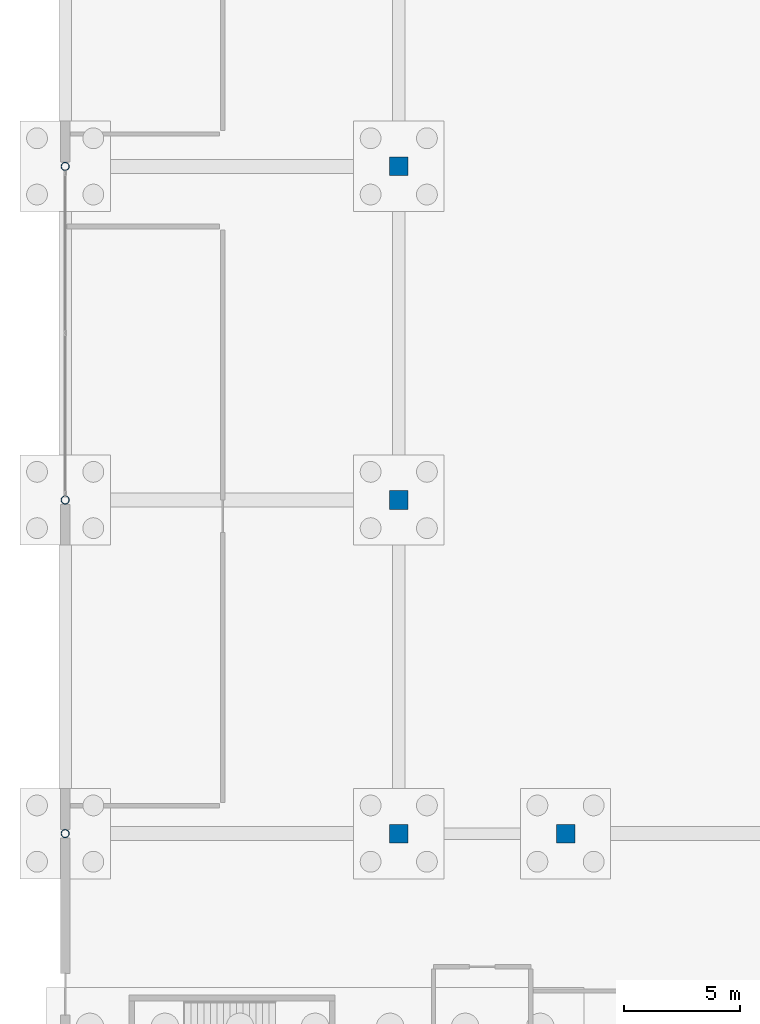
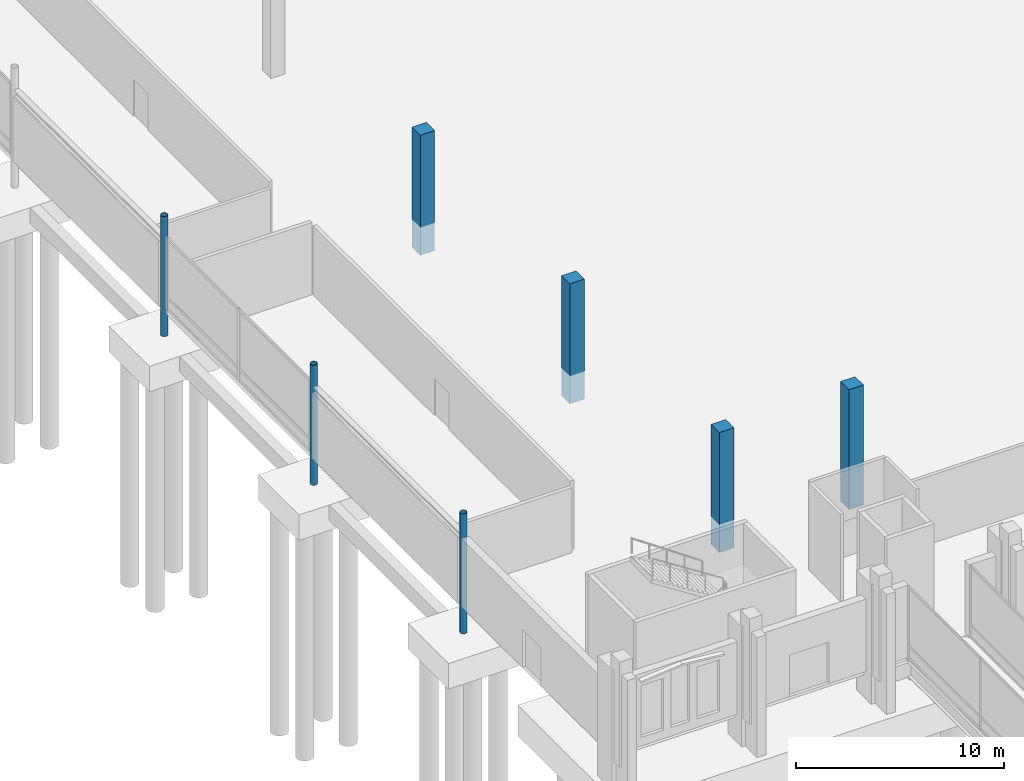
# One storey, part 11 of 192: 7 columns.
"""IFC4 building model written with IfcOpenShell, lengths in metres."""

from ifc_helpers import new_model, si_unit, direction, frame, origin, origin_2d, place, context, subcontext, project, spatial, rectangle, hollow_circle, extrude, material, material_profile, profile_set, type_object, element, save


model = new_model("IFC4")

# Units and contexts
model_context = context("Model", 3, precision=1e-05, world=origin(), true_north=direction((0.0, 1.0)))
body_context = subcontext(model_context, "Body", "Model", "MODEL_VIEW")
ifc_project = project(units=[si_unit("LENGTHUNIT", "METRE"), si_unit("AREAUNIT", "SQUARE_METRE"), si_unit("VOLUMEUNIT", "CUBIC_METRE"), si_unit("PLANEANGLEUNIT", "RADIAN"), si_unit("MASSUNIT", "GRAM", prefix="KILO")], contexts=[model_context])

# Site, building, storey
site_placement = place(None, origin())
site = spatial("IfcSite", under=ifc_project, at=site_placement, CompositionType="ELEMENT")
building_placement = place(site_placement, origin())
building = spatial("IfcBuilding", under=site, at=building_placement, Name="Cendralis Lancet Convention Centre", CompositionType="ELEMENT")
storey_placement = place(building_placement, origin())
storey = spatial("IfcBuildingStorey", under=building, at=storey_placement, Name="L00", CompositionType="ELEMENT", Elevation=0.0)

# Columns
ifc_material_1 = material(Name="Concrete G40 (C40/50)", Category="concrete")
ifc_material_profile_1 = material_profile(ifc_material_1, rectangle(XDim=0.800048828125, YDim=0.800048828125, at=origin_2d()), Name="RC 800x800")
ifc_profile_set_1 = profile_set([ifc_material_profile_1], Name="Concrete G40 (C40/50)")
column_type_1 = type_object("IfcColumnType", Name="STR-COL-C05-INT", PredefinedType="COLUMN", material=ifc_profile_set_1)
for number, where, z_axis, x_axis, name in (
    (1, (14.39990234375, 64.800048828125, -1.64990234375), (0.0, 0.0, 1.0), (1.0, 0.0, 0.0), "L00 Column C05 at 14.4,64.8"),
    (2, (14.39990234375, 79.199951171875, -1.64990234375), (0.0, 0.0, 1.0), (1.0, 0.0, 0.0), "L00 Column C05 at 14.4,79.2"),
    (3, (14.39990234375, 93.60009765625, -1.64990234375), (0.0, 0.0, 1.0), (1.0, 0.0, 0.0), "L00 Column C05 at 14.4,93.6"),
    (4, (21.60009765625, 64.800048828125, -1.64990234375), (0.0, 0.0, 1.0), (1.0, 0.0, 0.0), "L00 Column C05 at 21.6,64.8"),
):
    element("IfcColumn", number, at=place(storey_placement, frame(where, z_axis=z_axis, x_axis=x_axis)), inside=storey, type_object=column_type_1, Name=name, PredefinedType="COLUMN", context=body_context, shape_type="SweptSolid", body=[
        extrude(rectangle(XDim=0.800048828125, YDim=0.800048828125, at=origin_2d()), origin(), (0.0, 0.0, 1.0), 7.0498046875),
    ])
ifc_material_2 = material(Name="Steel S355", Category="steel")
ifc_material_profile_2 = material_profile(ifc_material_2, hollow_circle(Radius=0.177734375, WallThickness=0.01611328125, at=origin_2d()), Name="CHS 355.6x16.0")
ifc_profile_set_2 = profile_set([ifc_material_profile_2], Name="Steel S355")
column_type_2 = type_object("IfcColumnType", Name="STR-COL-C28", PredefinedType="COLUMN", material=ifc_profile_set_2)
for number, where, z_axis, x_axis, name in (
    (5, (0.0, 64.800048828125, -1.64990234375), (0.0, 0.0, 1.0), (1.0, 0.0, 0.0), "L00 Column C28 at 0.0,64.8"),
    (6, (0.0, 79.199951171875, -1.64990234375), (0.0, 0.0, 1.0), (1.0, 0.0, 0.0), "L00 Column C28 at 0.0,79.2"),
    (7, (0.0, 93.60009765625, -1.64990234375), (0.0, 0.0, 1.0), (1.0, 0.0, 0.0), "L00 Column C28 at 0.0,93.6"),
):
    element("IfcColumn", number, at=place(storey_placement, frame(where, z_axis=z_axis, x_axis=x_axis)), inside=storey, type_object=column_type_2, Name=name, PredefinedType="COLUMN", context=body_context, shape_type="SweptSolid", body=[
        extrude(hollow_circle(Radius=0.177734375, WallThickness=0.01611328125, at=origin_2d()), origin(), (0.0, 0.0, 1.0), 7.0498046875),
    ])

save(model, "model.ifc")
